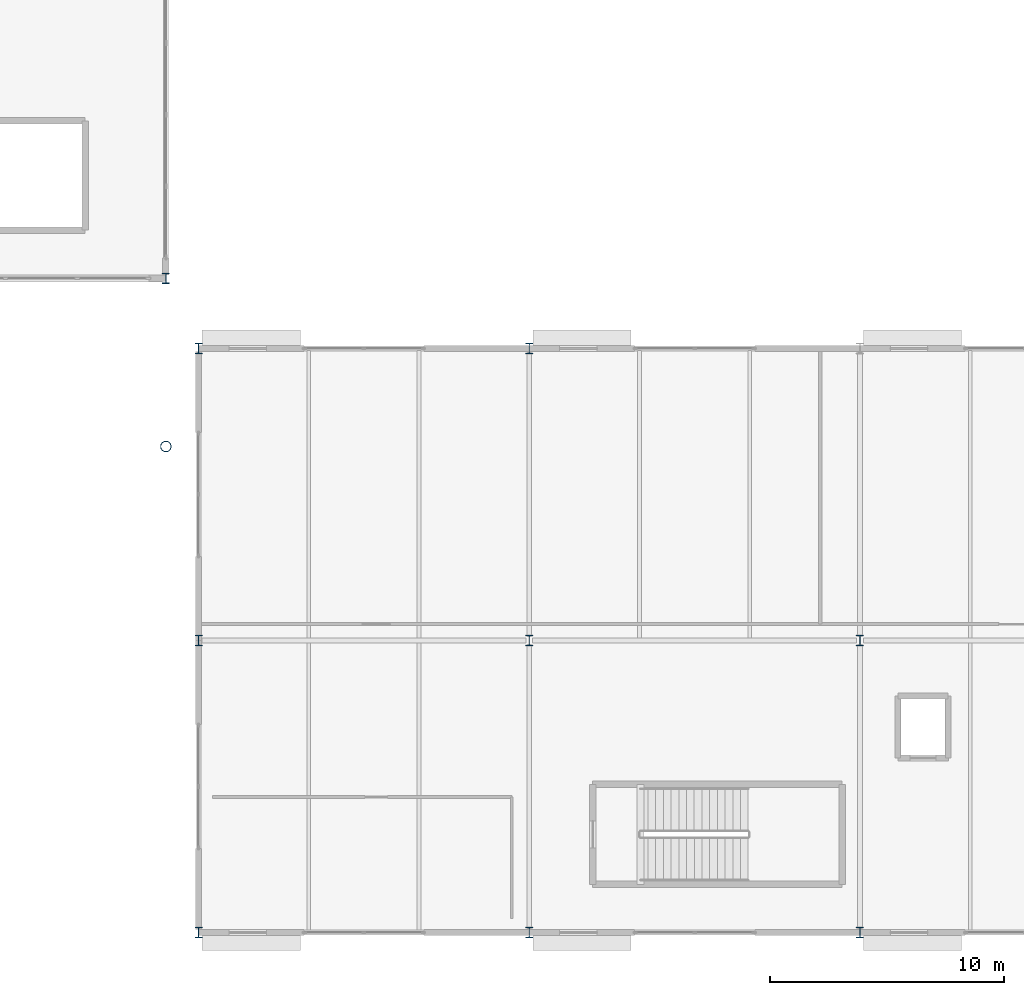
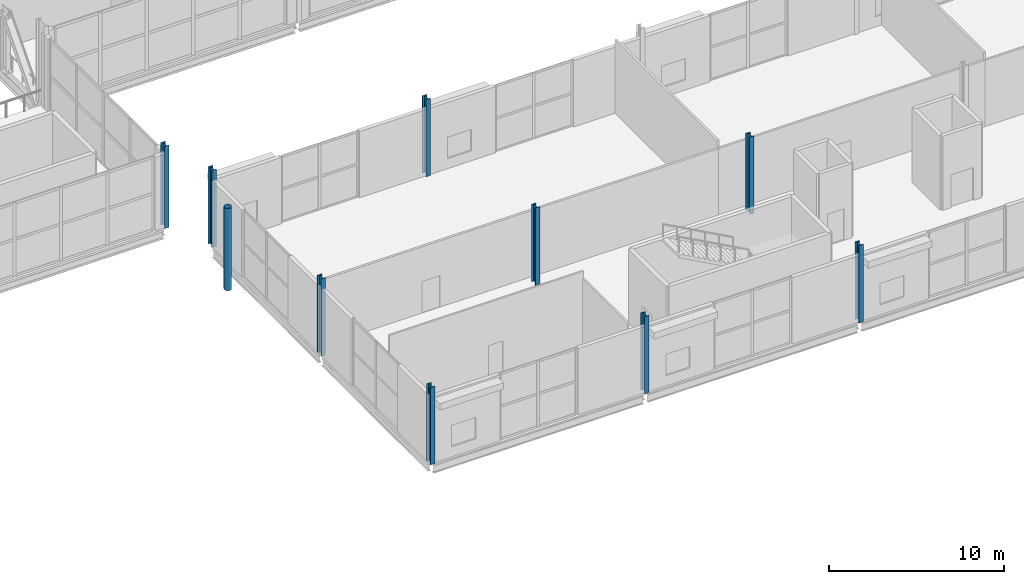
# One storey, part 9 of 84: 10 columns.
"""IFC4 building model written with IfcOpenShell, lengths in metres."""

from ifc_helpers import new_model, si_unit, direction, frame, origin, origin_2d, place, context, subcontext, project, spatial, hollow_circle, i_section, extrude, material, material_profile, profile_set, type_object, element, save


model = new_model("IFC4")

# Units and contexts
model_context = context("Model", 3, precision=1e-05, world=origin(), true_north=direction((0.0, 1.0)))
body_context = subcontext(model_context, "Body", "Model", "MODEL_VIEW")
ifc_project = project(units=[si_unit("LENGTHUNIT", "METRE"), si_unit("AREAUNIT", "SQUARE_METRE"), si_unit("VOLUMEUNIT", "CUBIC_METRE"), si_unit("PLANEANGLEUNIT", "RADIAN"), si_unit("MASSUNIT", "GRAM", prefix="KILO")], contexts=[model_context])

# Site, building, storey
site_placement = place(None, origin())
site = spatial("IfcSite", under=ifc_project, at=site_placement, CompositionType="ELEMENT")
building_placement = place(site_placement, origin())
building = spatial("IfcBuilding", under=site, at=building_placement, Name="Kimbaza Rail Terminus", CompositionType="ELEMENT")
storey_placement = place(building_placement, frame((0.0, 0.0, 5.39990234375)))
storey = spatial("IfcBuildingStorey", under=building, at=storey_placement, Name="L01", CompositionType="ELEMENT", Elevation=5.39990234375)

# Columns
ifc_material_1 = material(Name="White painted steel S355", Category="steel")
ifc_material_profile_1 = material_profile(ifc_material_1, hollow_circle(Radius=0.228515625, WallThickness=0.01611328125, at=origin_2d()), Name="CHS 457x16")
ifc_profile_set_1 = profile_set([ifc_material_profile_1], Name="White painted steel S355")
column_type_1 = type_object("IfcColumnType", Name="STR-COL-CHS457", PredefinedType="COLUMN", material=ifc_profile_set_1)
column_1_placement = place(storey_placement, frame((156.0, 33.800048828125, 0.0), z_axis=(0.0, 0.0, 1.0), x_axis=(1.0, 0.0, 0.0)))
element("IfcColumn", 1, at=column_1_placement, inside=storey, type_object=column_type_1, Name="Colonnade Column L01 #7", PredefinedType="COLUMN", context=body_context, shape_type="SweptSolid", body=[
    extrude(hollow_circle(Radius=0.228515625, WallThickness=0.01611328125, at=origin_2d()), origin(), (0.0, 0.0, 1.0), 5.75),
])
ifc_material_2 = material(Name="Steel S355", Category="steel")
ifc_material_profile_2 = material_profile(ifc_material_2, i_section(OverallWidth=0.300048828125, OverallDepth=0.449951171875, WebThickness=0.013916015625, FlangeThickness=0.02587890625, FilletRadius=0.027099609375, at=origin_2d()), Name="HEB 450")
ifc_profile_set_2 = profile_set([ifc_material_profile_2], Name="Steel S355")
column_type_2 = type_object("IfcColumnType", Name="STR-COL-HEB450", PredefinedType="COLUMN", material=ifc_profile_set_2)
column_2_placement = place(storey_placement, frame((156.0, 41.0, 0.0), z_axis=(0.0, 0.0, 1.0), x_axis=(1.0, 0.0, 0.0)))
element("IfcColumn", 2, at=column_2_placement, inside=storey, type_object=column_type_2, Name="South Hall Column L01", PredefinedType="COLUMN", context=body_context, shape_type="SweptSolid", body=[
    extrude(i_section(OverallWidth=0.300048828125, OverallDepth=0.449951171875, WebThickness=0.013916015625, FlangeThickness=0.02587890625, FilletRadius=0.027099609375, at=origin_2d()), origin(), (0.0, 0.0, 1.0), 5.75),
])
for number, where, z_axis, x_axis, name in (
    (3, (157.39990234375, 13.0, 0.0), (0.0, 0.0, 1.0), (1.0, 0.0, 0.0), "Retail Pavilion Column L01 (0,0)"),
    (4, (157.39990234375, 25.5, 0.0), (0.0, 0.0, 1.0), (1.0, 0.0, 0.0), "Retail Pavilion Column L01 (0,1)"),
    (5, (157.39990234375, 38.0, 0.0), (0.0, 0.0, 1.0), (1.0, 0.0, 0.0), "Retail Pavilion Column L01 (0,2)"),
    (6, (171.550048828125, 13.0, 0.0), (0.0, 0.0, 1.0), (1.0, 0.0, 0.0), "Retail Pavilion Column L01 (1,0)"),
    (7, (171.550048828125, 25.5, 0.0), (0.0, 0.0, 1.0), (1.0, 0.0, 0.0), "Retail Pavilion Column L01 (1,1)"),
    (8, (171.550048828125, 38.0, 0.0), (0.0, 0.0, 1.0), (1.0, 0.0, 0.0), "Retail Pavilion Column L01 (1,2)"),
    (9, (185.699951171875, 13.0, 0.0), (0.0, 0.0, 1.0), (1.0, 0.0, 0.0), "Retail Pavilion Column L01 (2,0)"),
    (10, (185.699951171875, 25.5, 0.0), (0.0, 0.0, 1.0), (1.0, 0.0, 0.0), "Retail Pavilion Column L01 (2,1)"),
):
    element("IfcColumn", number, at=place(storey_placement, frame(where, z_axis=z_axis, x_axis=x_axis)), inside=storey, type_object=column_type_2, Name=name, PredefinedType="COLUMN", context=body_context, shape_type="SweptSolid", body=[
        extrude(i_section(OverallWidth=0.300048828125, OverallDepth=0.449951171875, WebThickness=0.013916015625, FlangeThickness=0.02587890625, FilletRadius=0.027099609375, at=origin_2d()), origin(), (0.0, 0.0, 1.0), 5.400146484375),
    ])

save(model, "model.ifc")
